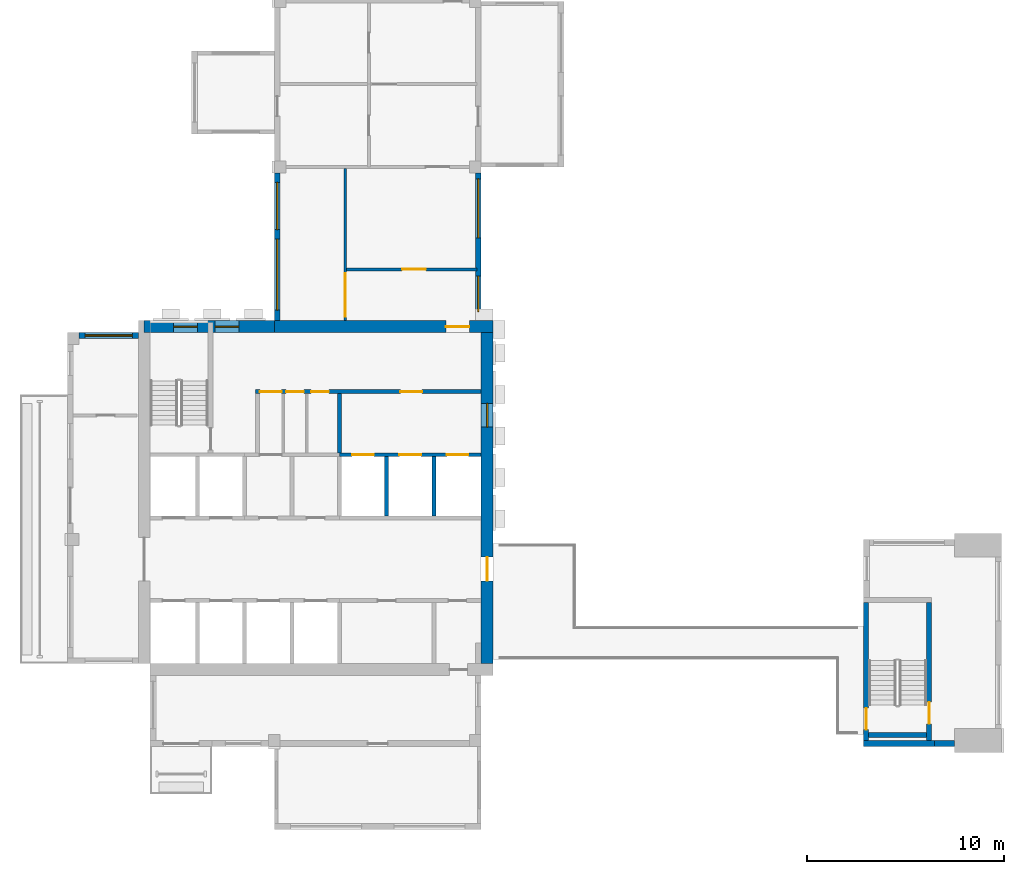
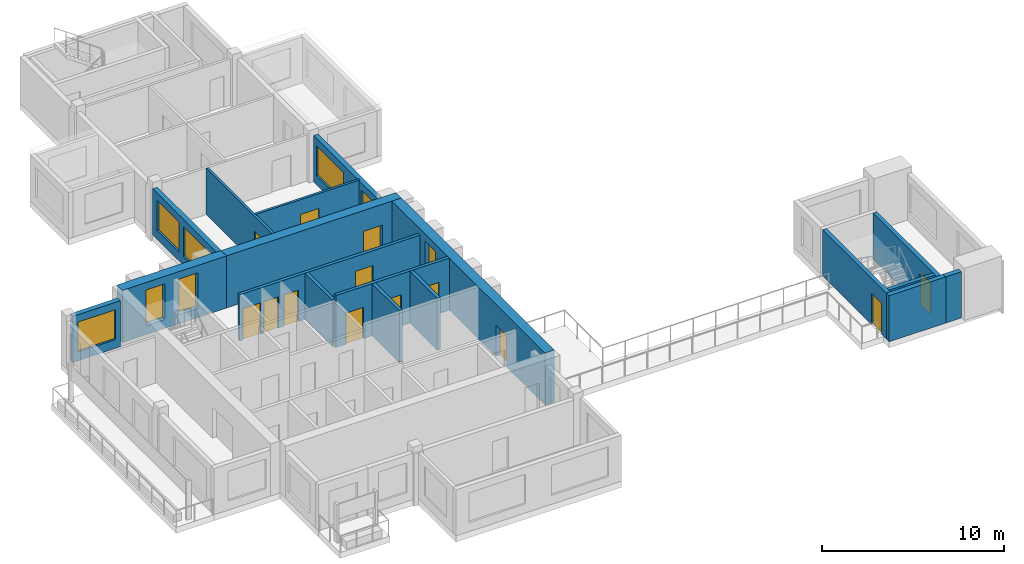
# One storey, part 3 of 9: 18 walls, 13 doors, 8 windows, 21 openings.
"""IFC4 building model written with IfcOpenShell, lengths in metres."""

import ifcopenshell
import ifcopenshell.guid

model = None  # the IFC model being written
_history = None  # IfcOwnerHistory: only IFC2X3 demands one
_inside = {}  # id of a spatial element -> (the spatial element, [elements in it])
_under = {}  # id of a project, library or spatial element -> (it, [spatial elements below it])
_declared = {}  # id of a project -> (the project, [libraries it declares])
_typed = {}  # id of a type object -> (the type object, [elements of that type])
_made_of = {}  # id of a material, layer set ... -> (it, [elements and type objects made of it])


def new_model(schema):
    """Start an empty IFC model of exactly this schema.

    Asked for "IFC4X3", IfcOpenShell would pick the latest addendum, in which some entities
    have other attributes; the version numbers below select the first issue.
    IFC2X3 requires an IfcOwnerHistory on every rooted entity: one is made here for all.
    """
    global model, _history
    if schema == "IFC4X3":
        model = ifcopenshell.file(schema_version=(4, 3, 0, 0))
    else:
        model = ifcopenshell.file(schema=schema)
    _inside.clear()
    _under.clear()
    _declared.clear()
    _typed.clear()
    _made_of.clear()
    _history = None
    if model.schema == "IFC2X3":
        org = make("IfcOrganization", Name="unknown")
        user = make(
            "IfcPersonAndOrganization",
            ThePerson=make("IfcPerson", FamilyName="unknown"),
            TheOrganization=org,
        )
        app = make(
            "IfcApplication",
            ApplicationDeveloper=org,
            Version="unknown",
            ApplicationFullName="unknown",
            ApplicationIdentifier="unknown",
        )
        _history = make(
            "IfcOwnerHistory",
            OwningUser=user,
            OwningApplication=app,
            ChangeAction="ADDED",
            CreationDate=0,
        )
    return model


def make(cls, **values):
    """One entity of the class cls with the attributes given. An attribute that is None is left unset."""
    return model.create_entity(
        cls, **{name: value for name, value in values.items() if value is not None}
    )


def rooted(cls, **values):
    """An entity with a GlobalId (a new one), such as an element, a storey or a relation."""
    return make(cls, GlobalId=ifcopenshell.guid.new(), OwnerHistory=_history, **values)


def si_unit(unit_type, name, prefix=None):
    """IfcSIUnit, for example si_unit("LENGTHUNIT", "METRE", prefix="MILLI")."""
    return make("IfcSIUnit", UnitType=unit_type, Prefix=prefix, Name=name)


def assignment(units):
    """IfcUnitAssignment: the units of a project."""
    return None if units is None else make("IfcUnitAssignment", Units=units)


def point(xyz):
    """IfcCartesianPoint."""
    return None if xyz is None else make("IfcCartesianPoint", Coordinates=xyz)


def direction(xyz):
    """IfcDirection."""
    return None if xyz is None else make("IfcDirection", DirectionRatios=xyz)


def frame(location, z_axis=None, x_axis=None):
    """IfcAxis2Placement3D, a coordinate frame: its origin and axes. An axis left out is left unset."""
    return make(
        "IfcAxis2Placement3D",
        Location=point(location),
        Axis=direction(z_axis),
        RefDirection=direction(x_axis),
    )


def frame_2d(location, x_axis=None):
    """IfcAxis2Placement2D, a coordinate frame in the plane: its origin and x axis."""
    return make(
        "IfcAxis2Placement2D", Location=point(location), RefDirection=direction(x_axis)
    )


def origin():
    """The frame at (0, 0, 0) with its axes left unset."""
    return frame((0.0, 0.0, 0.0))


def place(relative_to, where):
    """IfcLocalPlacement: puts the frame where relative to a parent placement (None: the world)."""
    return make(
        "IfcLocalPlacement", PlacementRelTo=relative_to, RelativePlacement=where
    )


def context(
    kind, dimensions, precision=None, world=None, true_north=None, identifier=None
):
    """IfcGeometricRepresentationContext, for example the 3D "Model" context."""
    return make(
        "IfcGeometricRepresentationContext",
        ContextIdentifier=identifier,
        ContextType=kind,
        CoordinateSpaceDimension=dimensions,
        Precision=precision,
        WorldCoordinateSystem=world,
        TrueNorth=true_north,
    )


def subcontext(parent, identifier, kind, view, scale=None):
    """IfcGeometricRepresentationSubContext, for example "Body" below "Model"."""
    return make(
        "IfcGeometricRepresentationSubContext",
        ContextIdentifier=identifier,
        ContextType=kind,
        ParentContext=parent,
        TargetScale=scale,
        TargetView=view,
    )


def project(units=None, contexts=None):
    """IfcProject with its units and contexts."""
    return rooted(
        "IfcProject",
        Name="project",
        RepresentationContexts=contexts,
        UnitsInContext=assignment(units),
    )


def spatial(cls, under=None, at=None, **own):
    """A site, building, storey or space (cls), placed at a placement, below another one or the project."""
    s = rooted(cls, ObjectPlacement=at, **own)
    if under is not None:
        _under.setdefault(under.id(), (under, []))[1].append(s)
    return s


def profile(cls, at=None, kind="AREA", **sizes):
    """A parametric profile (cls). Its sizes go by their IFC names, for example OverallWidth=200.0."""
    return make(cls, ProfileType=kind, Position=at, **sizes)


def rectangle(**sizes):
    """IfcRectangleProfileDef."""
    return profile("IfcRectangleProfileDef", **sizes)


def extrude(swept, where, along, depth):
    """IfcExtrudedAreaSolid: the profile swept, set in the frame where, extruded along a direction by depth."""
    return make(
        "IfcExtrudedAreaSolid",
        SweptArea=swept,
        Position=where,
        ExtrudedDirection=direction(along),
        Depth=depth,
    )


def shape(context_of_items, identifier, shape_type, items):
    """IfcShapeRepresentation: the items that make up one representation, for example the "Body"."""
    return make(
        "IfcShapeRepresentation",
        ContextOfItems=context_of_items,
        RepresentationIdentifier=identifier,
        RepresentationType=shape_type,
        Items=items,
    )


def source(mapping_origin, context_of_items, identifier, shape_type, items):
    """IfcRepresentationMap: a shape defined once, which mapped items show again and again."""
    return make(
        "IfcRepresentationMap",
        MappingOrigin=mapping_origin,
        MappedRepresentation=shape(context_of_items, identifier, shape_type, items),
    )


def transform(
    local_origin,
    x_axis=None,
    y_axis=None,
    z_axis=None,
    scale=None,
    scale2=None,
    scale3=None,
    uniform=True,
):
    """IfcCartesianTransformationOperator3D, or its non-uniform kind. x_axis, y_axis, z_axis: its Axis1, 2, 3."""
    if uniform:
        return make(
            "IfcCartesianTransformationOperator3D",
            Axis1=direction(x_axis),
            Axis2=direction(y_axis),
            LocalOrigin=point(local_origin),
            Scale=scale,
            Axis3=direction(z_axis),
        )
    return make(
        "IfcCartesianTransformationOperator3DnonUniform",
        Axis1=direction(x_axis),
        Axis2=direction(y_axis),
        LocalOrigin=point(local_origin),
        Scale=scale,
        Axis3=direction(z_axis),
        Scale2=scale2,
        Scale3=scale3,
    )


def mapped(mapping_source, mapping_target):
    """IfcMappedItem: shows the shape of a source again, moved by a transform."""
    return make(
        "IfcMappedItem", MappingSource=mapping_source, MappingTarget=mapping_target
    )


def material(Name=None, Category=None):
    """IfcMaterial."""
    return make("IfcMaterial", Name=Name, Category=Category)


def layer(
    of_material, thickness, ventilated=None, Name=None, Category=None, Priority=None
):
    """IfcMaterialLayer: one layer of a wall or slab, of a material (None: an air gap)."""
    return make(
        "IfcMaterialLayer",
        Material=of_material,
        LayerThickness=thickness,
        IsVentilated=ventilated,
        Name=Name,
        Category=Category,
        Priority=Priority,
    )


def layer_set(layers, Name=None):
    """IfcMaterialLayerSet."""
    return make("IfcMaterialLayerSet", MaterialLayers=layers, LayerSetName=Name)


def made_of(thing, what):
    """Note that an element or type object is made of a material, layer set ...; save() writes the relation."""
    if what is not None:
        _made_of.setdefault(what.id(), (what, []))[1].append(thing)
    return thing


def type_object(cls, material=None, **own):
    """A type object (cls), such as IfcWallType, which elements share."""
    return made_of(rooted(cls, **own), material)


def element(
    cls,
    number,
    at=None,
    inside=None,
    cuts=None,
    type_object=None,
    material=None,
    context=None,
    identifier="Body",
    shape_type=None,
    held_by="IfcProductDefinitionShape",
    body=None,
    shapes=None,
    **own,
):
    """One element of the class cls, such as IfcWall. Its Tag is "e" and its number.

    at: its placement. inside: the storey or other place that contains it. cuts: it is an
    opening in that element (IfcRelVoidsElement). A single representation is given by context,
    identifier, shape_type and body (its items); several are given by shapes. held_by: the class
    of the entity that holds the representations. save() writes the other relations.
    """
    e = rooted(cls, Tag="e%d" % number, ObjectPlacement=at, **own)
    if body is not None:
        shapes = [shape(context, identifier, shape_type, body)]
    if shapes is not None:
        e.Representation = make(held_by, Representations=shapes)
    if inside is not None:
        _inside.setdefault(inside.id(), (inside, []))[1].append(e)
    if cuts is not None:
        rooted(
            "IfcRelVoidsElement", RelatingBuildingElement=cuts, RelatedOpeningElement=e
        )
    if type_object is not None:
        _typed.setdefault(type_object.id(), (type_object, []))[1].append(e)
    return made_of(e, material)


def fill(opening, filler):
    """IfcRelFillsElement: the door or window that sits in an opening."""
    return rooted(
        "IfcRelFillsElement",
        RelatingOpeningElement=opening,
        RelatedBuildingElement=filler,
    )


def aggregate(whole, parts):
    """IfcRelAggregates: a whole, such as a stair, and the parts it consists of."""
    return rooted("IfcRelAggregates", RelatingObject=whole, RelatedObjects=parts)


def save(model, path):
    """Write the relations noted so far, then the file.

    IfcRelAggregates (storeys below a building ...), IfcRelContainedInSpatialStructure (elements
    in a storey), IfcRelDefinesByType, IfcRelAssociatesMaterial and IfcRelDeclares: one each for
    every whole, place, type object, material and project.
    """
    for whole, parts in _under.values():
        aggregate(whole, parts)
    for where, things in _inside.values():
        rooted(
            "IfcRelContainedInSpatialStructure",
            RelatedElements=things,
            RelatingStructure=where,
        )
    for kind, things in _typed.values():
        rooted("IfcRelDefinesByType", RelatedObjects=things, RelatingType=kind)
    for what, things in _made_of.values():
        rooted("IfcRelAssociatesMaterial", RelatedObjects=things, RelatingMaterial=what)
    for by, libraries in _declared.values():
        rooted("IfcRelDeclares", RelatingContext=by, RelatedDefinitions=libraries)
    model.write(path)


model = new_model("IFC4")

# Units and contexts
model_context = context("Model", 3, precision=1e-05, world=origin(), true_north=direction((0.0, 1.0)))
body_context = subcontext(model_context, "Body", "Model", "MODEL_VIEW")
ifc_project = project(units=[si_unit("LENGTHUNIT", "METRE"), si_unit("AREAUNIT", "SQUARE_METRE"), si_unit("VOLUMEUNIT", "CUBIC_METRE"), si_unit("PLANEANGLEUNIT", "RADIAN"), si_unit("MASSUNIT", "GRAM", prefix="KILO")], contexts=[model_context])

# Site, building, storey
site_placement = place(None, origin())
site = spatial("IfcSite", under=ifc_project, at=site_placement, CompositionType="ELEMENT")
building_placement = place(site_placement, origin())
building = spatial("IfcBuilding", under=site, at=building_placement, Name="Aurelian Terraces", CompositionType="ELEMENT")
storey_placement = place(building_placement, frame((0.0, 0.0, 333.5)))
storey = spatial("IfcBuildingStorey", under=building, at=storey_placement, Name="L78", CompositionType="ELEMENT", Elevation=333.5)

# Wall, openings, door, window
ifc_material_1 = material(Name="Concrete fc' 55 MPa", Category="concrete")
ifc_layer_1 = layer(ifc_material_1, 0.6)
ifc_layer_set_1 = layer_set([ifc_layer_1], Name="CORE WALL 600 FC55")
wall_type_1 = type_object("IfcWallType", Name="CORE WALL 600 FC55", PredefinedType="SHEAR", material=ifc_layer_set_1)
wall_1_placement = place(storey_placement, frame((21.3, 4.2, 0.0), z_axis=(0.0, 0.0, 1.0), x_axis=(0.0, 1.0, 0.0)))
wall_1 = element("IfcWall", 1, at=wall_1_placement, inside=storey, type_object=wall_type_1, Name="Core wall E L78 exposed", PredefinedType="SHEAR", context=body_context, shape_type="SweptSolid", body=[
    extrude(rectangle(XDim=16.8, YDim=0.6, at=frame_2d((8.4, 0.0))), origin(), (0.0, 0.0, 1.0), 3.5),
])
shared_shape_1 = source(origin(), body_context, "Body", "SweptSolid", [
    extrude(rectangle(XDim=1.2, YDim=2.1, at=frame_2d((0.6, 1.05))), frame((0.0, 0.31, 0.0), z_axis=(0.0, -1.0, 0.0), x_axis=(1.0, 0.0, 0.0)), (0.0, 0.0, 1.0), 0.62),
])
opening_1_placement = place(wall_1_placement, frame((4.2, 0.0, 0.0)))
opening_1 = element("IfcOpeningElement", 2, at=opening_1_placement, cuts=wall_1, Name="Opening 68126", PredefinedType="OPENING", context=body_context, shape_type="MappedRepresentation", body=[
    mapped(shared_shape_1, transform((0.0, 0.0, 0.0), scale=1.0)),
])
shared_shape_2 = source(origin(), body_context, "Body", "SweptSolid", [
    extrude(rectangle(XDim=1.2, YDim=2.4, at=frame_2d((0.6, 1.2))), frame((0.0, 0.31, 0.0), z_axis=(0.0, -1.0, 0.0), x_axis=(1.0, 0.0, 0.0)), (0.0, 0.0, 1.0), 0.62),
])
opening_2_placement = place(wall_1_placement, frame((12.0, 0.0, 0.6)))
opening_2 = element("IfcOpeningElement", 3, at=opening_2_placement, cuts=wall_1, Name="Opening W-CL", PredefinedType="OPENING", context=body_context, shape_type="MappedRepresentation", body=[
    mapped(shared_shape_2, transform((0.0, 0.0, 0.0), scale=1.0)),
])
ifc_material_2 = material(Name="Steel door leaf", Category="steel")
door_type_1 = type_object("IfcDoorType", Name="Core fire door 1200x2100 right", OperationType="SINGLE_SWING_RIGHT", PredefinedType="DOOR", material=ifc_material_2)
shared_shape_3 = source(origin(), body_context, "Body", "SweptSolid", [
    extrude(rectangle(XDim=1.2, YDim=2.1, at=frame_2d((0.6, 1.05))), frame((0.0, 0.025, 0.0), z_axis=(0.0, -1.0, 0.0), x_axis=(1.0, 0.0, 0.0)), (0.0, 0.0, 1.0), 0.05),
])
door_1_placement = place(opening_1_placement, origin())
door_1 = element("IfcDoor", 4, at=door_1_placement, inside=storey, type_object=door_type_1, Name="Core door 68126", OperationType="SINGLE_SWING_RIGHT", OverallHeight=2.1, OverallWidth=1.2, PredefinedType="DOOR", context=body_context, shape_type="MappedRepresentation", body=[
    mapped(shared_shape_3, transform((0.0, 0.0, 0.0), scale=1.0)),
])
fill(opening_1, door_1)
ifc_material_3 = material(Name="Fire-resisting glazing", Category="glass")
window_type_1 = type_object("IfcWindowType", Name="Core lobby window 1200x2400", PartitioningType="SINGLE_PANEL", PredefinedType="WINDOW", material=ifc_material_3)
shared_shape_4 = source(origin(), body_context, "Body", "SweptSolid", [
    extrude(rectangle(XDim=1.2, YDim=2.4, at=frame_2d((0.6, 1.2))), frame((0.0, 0.03, 0.0), z_axis=(0.0, -1.0, 0.0), x_axis=(1.0, 0.0, 0.0)), (0.0, 0.0, 1.0), 0.06),
])
window_1_placement = place(opening_2_placement, origin())
window_1 = element("IfcWindow", 5, at=window_1_placement, inside=storey, type_object=window_type_1, Name="Lobby window L78 E43", OverallHeight=2.4, OverallWidth=1.2, PartitioningType="SINGLE_PANEL", PredefinedType="WINDOW", context=body_context, shape_type="MappedRepresentation", body=[
    mapped(shared_shape_4, transform((0.0, 0.0, 0.0), scale=1.0)),
])
fill(opening_2, window_1)

# Walls
ifc_material_4 = material(Name="Terracotta rainscreen cladding", Category="masonry")
ifc_layer_2 = layer(ifc_material_4, 0.3)
ifc_layer_set_2 = layer_set([ifc_layer_2], Name="EW-300")
wall_type_2 = type_object("IfcWallType", Name="EW-300", PredefinedType="STANDARD", material=ifc_layer_set_2)
wall_2_placement = place(storey_placement, frame((44.0, 0.15, 0.0), z_axis=(0.0, 0.0, 1.0), x_axis=(1.0, 0.0, 0.0)))
element("IfcWall", 6, at=wall_2_placement, inside=storey, type_object=wall_type_2, Name="External wall L78 F13.21", PredefinedType="STANDARD", context=body_context, shape_type="SweptSolid", body=[
    extrude(rectangle(XDim=1.0, YDim=0.3, at=frame_2d((0.5, 0.0))), origin(), (0.0, 0.0, 1.0), 3.1),
])
ifc_material_5 = material(Name="Concrete fc' 40 MPa", Category="concrete")
ifc_layer_3 = layer(ifc_material_5, 0.3)
ifc_layer_set_3 = layer_set([ifc_layer_3], Name="STAIR BAY WALL 300")
wall_type_3 = type_object("IfcWallType", Name="STAIR BAY WALL 300", PredefinedType="SOLIDWALL", material=ifc_layer_set_3)
wall_3_placement = place(storey_placement, frame((40.4, 0.15, 0.0), z_axis=(0.0, 0.0, 1.0), x_axis=(1.0, 0.0, 0.0)))
element("IfcWall", 7, at=wall_3_placement, inside=storey, type_object=wall_type_3, Name="Stair bay wall L78 F13.21", PredefinedType="SOLIDWALL", context=body_context, shape_type="SweptSolid", body=[
    extrude(rectangle(XDim=3.6, YDim=0.3, at=frame_2d((1.8, 0.0))), origin(), (0.0, 0.0, 1.0), 3.1),
])

# Wall, opening, door
shared_shape_5 = source(origin(), body_context, "Body", "SweptSolid", [
    extrude(rectangle(XDim=11.1, YDim=0.6, at=frame_2d((5.55, 0.0))), origin(), (0.0, 0.0, 1.0), 3.5),
])
wall_4_placement = place(storey_placement, frame((10.5, 21.3, 0.0), z_axis=(0.0, 0.0, 1.0), x_axis=(1.0, 0.0, 0.0)))
wall_4 = element("IfcWall", 8, at=wall_4_placement, inside=storey, type_object=wall_type_1, Name="Core wall N L78", PredefinedType="SHEAR", context=body_context, shape_type="MappedRepresentation", body=[
    mapped(shared_shape_5, transform((0.0, 0.0, 0.0), scale=1.0)),
])
opening_3_placement = place(wall_4_placement, frame((8.7, 0.0, 0.0)))
opening_3 = element("IfcOpeningElement", 9, at=opening_3_placement, cuts=wall_4, Name="Opening 68125", PredefinedType="OPENING", context=body_context, shape_type="MappedRepresentation", body=[
    mapped(shared_shape_1, transform((0.0, 0.0, 0.0), scale=1.0)),
])
door_type_2 = type_object("IfcDoorType", Name="Core fire door 1200x2100", OperationType="SINGLE_SWING_LEFT", PredefinedType="DOOR", material=ifc_material_2)
door_2_placement = place(opening_3_placement, origin())
door_2 = element("IfcDoor", 10, at=door_2_placement, inside=storey, type_object=door_type_2, Name="Core door 68125", OperationType="SINGLE_SWING_LEFT", OverallHeight=2.1, OverallWidth=1.2, PredefinedType="DOOR", context=body_context, shape_type="MappedRepresentation", body=[
    mapped(shared_shape_3, transform((0.0, 0.0, 0.0), scale=1.0)),
])
fill(opening_3, door_2)

# Wall, openings, windows
shared_shape_6 = source(origin(), body_context, "Body", "SweptSolid", [
    extrude(rectangle(XDim=6.6, YDim=0.6, at=frame_2d((3.3, 0.0))), origin(), (0.0, 0.0, 1.0), 3.5),
])
wall_5_placement = place(storey_placement, frame((3.9, 21.3, 0.0), z_axis=(0.0, 0.0, 1.0), x_axis=(1.0, 0.0, 0.0)))
wall_5 = element("IfcWall", 11, at=wall_5_placement, inside=storey, type_object=wall_type_1, Name="Core wall N L78 exposed", PredefinedType="SHEAR", context=body_context, shape_type="MappedRepresentation", body=[
    mapped(shared_shape_6, transform((0.0, 0.0, 0.0), scale=1.0)),
])
opening_4_placement = place(wall_5_placement, frame((1.5, 0.0, 0.6)))
opening_4 = element("IfcOpeningElement", 12, at=opening_4_placement, cuts=wall_5, Name="Opening W-CL", PredefinedType="OPENING", context=body_context, shape_type="MappedRepresentation", body=[
    mapped(shared_shape_2, transform((0.0, 0.0, 0.0), scale=1.0)),
])
opening_5_placement = place(wall_5_placement, frame((3.6, 0.0, 0.6)))
opening_5 = element("IfcOpeningElement", 13, at=opening_5_placement, cuts=wall_5, Name="Opening W-CL", PredefinedType="OPENING", context=body_context, shape_type="MappedRepresentation", body=[
    mapped(shared_shape_2, transform((0.0, 0.0, 0.0), scale=1.0)),
])
window_2_placement = place(opening_4_placement, origin())
window_2 = element("IfcWindow", 14, at=window_2_placement, inside=storey, type_object=window_type_1, Name="Lobby window L78 N44", OverallHeight=2.4, OverallWidth=1.2, PartitioningType="SINGLE_PANEL", PredefinedType="WINDOW", context=body_context, shape_type="MappedRepresentation", body=[
    mapped(shared_shape_4, transform((0.0, 0.0, 0.0), scale=1.0)),
])
fill(opening_4, window_2)
window_3_placement = place(opening_5_placement, origin())
window_3 = element("IfcWindow", 15, at=window_3_placement, inside=storey, type_object=window_type_1, Name="Lobby window L78 N45", OverallHeight=2.4, OverallWidth=1.2, PartitioningType="SINGLE_PANEL", PredefinedType="WINDOW", context=body_context, shape_type="MappedRepresentation", body=[
    mapped(shared_shape_4, transform((0.0, 0.0, 0.0), scale=1.0)),
])
fill(opening_5, window_3)

shared_shape_7 = source(origin(), body_context, "Body", "SweptSolid", [
    extrude(rectangle(XDim=7.5, YDim=0.3, at=frame_2d((3.75, 0.0))), origin(), (0.0, 0.0, 1.0), 3.1),
])
wall_6_placement = place(storey_placement, frame((20.85, 21.6, 0.0), z_axis=(0.0, 0.0, 1.0), x_axis=(0.0, 1.0, 0.0)))
wall_6 = element("IfcWall", 16, at=wall_6_placement, inside=storey, type_object=wall_type_2, Name="External wall L78 F02.7", PredefinedType="STANDARD", context=body_context, shape_type="MappedRepresentation", body=[
    mapped(shared_shape_7, transform((0.0, 0.0, 0.0), scale=1.0)),
])
shared_shape_8 = source(origin(), body_context, "Body", "SweptSolid", [
    extrude(rectangle(XDim=1.8, YDim=2.0, at=frame_2d((0.9, 1.0))), frame((0.0, 0.16, 0.0), z_axis=(0.0, -1.0, 0.0), x_axis=(1.0, 0.0, 0.0)), (0.0, 0.0, 1.0), 0.32),
])
opening_6_placement = place(wall_6_placement, frame((0.4625, 0.0, 0.6)))
opening_6 = element("IfcOpeningElement", 17, at=opening_6_placement, cuts=wall_6, Name="Opening W1820", PredefinedType="OPENING", context=body_context, shape_type="MappedRepresentation", body=[
    mapped(shared_shape_8, transform((0.0, 0.0, 0.0), scale=1.0)),
])
shared_shape_9 = source(origin(), body_context, "Body", "SweptSolid", [
    extrude(rectangle(XDim=3.0, YDim=2.0, at=frame_2d((1.5, 1.0))), frame((0.0, 0.16, 0.0), z_axis=(0.0, -1.0, 0.0), x_axis=(1.0, 0.0, 0.0)), (0.0, 0.0, 1.0), 0.32),
])
opening_7_placement = place(wall_6_placement, frame((4.2, 0.0, 0.6)))
opening_7 = element("IfcOpeningElement", 18, at=opening_7_placement, cuts=wall_6, Name="Opening W3020", PredefinedType="OPENING", context=body_context, shape_type="MappedRepresentation", body=[
    mapped(shared_shape_9, transform((0.0, 0.0, 0.0), scale=1.0)),
])
ifc_material_6 = material(Name="Clear glazing", Category="glass")
window_type_2 = type_object("IfcWindowType", Name="W-3000x2000", PartitioningType="SINGLE_PANEL", PredefinedType="WINDOW", material=ifc_material_6)
shared_shape_10 = source(origin(), body_context, "Body", "SweptSolid", [
    extrude(rectangle(XDim=3.0, YDim=2.0, at=frame_2d((1.5, 1.0))), frame((0.0, 0.03, 0.0), z_axis=(0.0, -1.0, 0.0), x_axis=(1.0, 0.0, 0.0)), (0.0, 0.0, 1.0), 0.06),
])
window_4_placement = place(opening_7_placement, origin())
window_4 = element("IfcWindow", 19, at=window_4_placement, inside=storey, type_object=window_type_2, Name="Window L78 L78-F02-07-1", OverallHeight=2.0, OverallWidth=3.0, PartitioningType="SINGLE_PANEL", PredefinedType="WINDOW", context=body_context, shape_type="MappedRepresentation", body=[
    mapped(shared_shape_10, transform((0.0, 0.0, 0.0), scale=1.0)),
])
fill(opening_7, window_4)
window_type_3 = type_object("IfcWindowType", Name="W-1800x2000", PartitioningType="SINGLE_PANEL", PredefinedType="WINDOW", material=ifc_material_6)
shared_shape_11 = source(origin(), body_context, "Body", "SweptSolid", [
    extrude(rectangle(XDim=1.8, YDim=2.0, at=frame_2d((0.9, 1.0))), frame((0.0, 0.03, 0.0), z_axis=(0.0, -1.0, 0.0), x_axis=(1.0, 0.0, 0.0)), (0.0, 0.0, 1.0), 0.06),
])
window_5_placement = place(opening_6_placement, origin())
window_5 = element("IfcWindow", 20, at=window_5_placement, inside=storey, type_object=window_type_3, Name="Window L78 L78-F02-07-0", OverallHeight=2.0, OverallWidth=1.8, PartitioningType="SINGLE_PANEL", PredefinedType="WINDOW", context=body_context, shape_type="MappedRepresentation", body=[
    mapped(shared_shape_11, transform((0.0, 0.0, 0.0), scale=1.0)),
])
fill(opening_6, window_5)

wall_7_placement = place(storey_placement, frame((10.65, 29.1, 0.0), z_axis=(0.0, 0.0, 1.0), x_axis=(0.0, -1.0, 0.0)))
wall_7 = element("IfcWall", 21, at=wall_7_placement, inside=storey, type_object=wall_type_2, Name="External wall L78 F04.11", PredefinedType="STANDARD", context=body_context, shape_type="MappedRepresentation", body=[
    mapped(shared_shape_7, transform((0.0, 0.0, 0.0), scale=1.0)),
])
shared_shape_12 = source(origin(), body_context, "Body", "SweptSolid", [
    extrude(rectangle(XDim=3.6, YDim=2.0, at=frame_2d((1.8, 1.0))), frame((0.0, 0.16, 0.0), z_axis=(0.0, -1.0, 0.0), x_axis=(1.0, 0.0, 0.0)), (0.0, 0.0, 1.0), 0.32),
])
opening_8_placement = place(wall_7_placement, frame((3.36, 0.0, 0.6)))
opening_8 = element("IfcOpeningElement", 22, at=opening_8_placement, cuts=wall_7, Name="Opening W3620", PredefinedType="OPENING", context=body_context, shape_type="MappedRepresentation", body=[
    mapped(shared_shape_12, transform((0.0, 0.0, 0.0), scale=1.0)),
])
shared_shape_13 = source(origin(), body_context, "Body", "SweptSolid", [
    extrude(rectangle(XDim=2.4, YDim=2.0, at=frame_2d((1.2, 1.0))), frame((0.0, 0.16, 0.0), z_axis=(0.0, -1.0, 0.0), x_axis=(1.0, 0.0, 0.0)), (0.0, 0.0, 1.0), 0.32),
])
opening_9_placement = place(wall_7_placement, frame((0.48, 0.0, 0.6)))
opening_9 = element("IfcOpeningElement", 23, at=opening_9_placement, cuts=wall_7, Name="Opening W2420", PredefinedType="OPENING", context=body_context, shape_type="MappedRepresentation", body=[
    mapped(shared_shape_13, transform((0.0, 0.0, 0.0), scale=1.0)),
])
window_type_4 = type_object("IfcWindowType", Name="W-2400x2000", PartitioningType="SINGLE_PANEL", PredefinedType="WINDOW", material=ifc_material_6)
shared_shape_14 = source(origin(), body_context, "Body", "SweptSolid", [
    extrude(rectangle(XDim=2.4, YDim=2.0, at=frame_2d((1.2, 1.0))), frame((0.0, 0.03, 0.0), z_axis=(0.0, -1.0, 0.0), x_axis=(1.0, 0.0, 0.0)), (0.0, 0.0, 1.0), 0.06),
])
window_6_placement = place(opening_9_placement, origin())
window_6 = element("IfcWindow", 24, at=window_6_placement, inside=storey, type_object=window_type_4, Name="Window L78 L78-F04-11-G2-146", OverallHeight=2.0, OverallWidth=2.4, PartitioningType="SINGLE_PANEL", PredefinedType="WINDOW", context=body_context, shape_type="MappedRepresentation", body=[
    mapped(shared_shape_14, transform((0.0, 0.0, 0.0), scale=1.0)),
])
fill(opening_9, window_6)
window_type_5 = type_object("IfcWindowType", Name="W-3600x2000", PartitioningType="SINGLE_PANEL", PredefinedType="WINDOW", material=ifc_material_6)
shared_shape_15 = source(origin(), body_context, "Body", "SweptSolid", [
    extrude(rectangle(XDim=3.6, YDim=2.0, at=frame_2d((1.8, 1.0))), frame((0.0, 0.03, 0.0), z_axis=(0.0, -1.0, 0.0), x_axis=(1.0, 0.0, 0.0)), (0.0, 0.0, 1.0), 0.06),
])
window_7_placement = place(opening_8_placement, origin())
window_7 = element("IfcWindow", 25, at=window_7_placement, inside=storey, type_object=window_type_5, Name="Window L78 L78-F04-11-4", OverallHeight=2.0, OverallWidth=3.6, PartitioningType="SINGLE_PANEL", PredefinedType="WINDOW", context=body_context, shape_type="MappedRepresentation", body=[
    mapped(shared_shape_15, transform((0.0, 0.0, 0.0), scale=1.0)),
])
fill(opening_8, window_7)

# Wall, opening, window
shared_shape_16 = source(origin(), body_context, "Body", "SweptSolid", [
    extrude(rectangle(XDim=3.0, YDim=0.3, at=frame_2d((1.5, 0.0))), origin(), (0.0, 0.0, 1.0), 3.1),
])
wall_8_placement = place(storey_placement, frame((3.6, 20.85, 0.0), z_axis=(0.0, 0.0, 1.0), x_axis=(-1.0, 0.0, 0.0)))
wall_8 = element("IfcWall", 26, at=wall_8_placement, inside=storey, type_object=wall_type_2, Name="External wall L78 F09.16", PredefinedType="STANDARD", context=body_context, shape_type="MappedRepresentation", body=[
    mapped(shared_shape_16, transform((0.0, 0.0, 0.0), scale=1.0)),
])
opening_10_placement = place(wall_8_placement, frame((0.3, 0.0, 0.6)))
opening_10 = element("IfcOpeningElement", 27, at=opening_10_placement, cuts=wall_8, Name="Opening W2420", PredefinedType="OPENING", context=body_context, shape_type="MappedRepresentation", body=[
    mapped(shared_shape_13, transform((0.0, 0.0, 0.0), scale=1.0)),
])
window_8_placement = place(opening_10_placement, origin())
window_8 = element("IfcWindow", 28, at=window_8_placement, inside=storey, type_object=window_type_4, Name="Window L78 L78-F09-16-0", OverallHeight=2.0, OverallWidth=2.4, PartitioningType="SINGLE_PANEL", PredefinedType="WINDOW", context=body_context, shape_type="MappedRepresentation", body=[
    mapped(shared_shape_14, transform((0.0, 0.0, 0.0), scale=1.0)),
])
fill(opening_10, window_8)

# Walls
ifc_layer_4 = layer(ifc_material_5, 0.2)
ifc_layer_set_4 = layer_set([ifc_layer_4], Name="Lift shaft wall 200")
wall_type_4 = type_object("IfcWallType", Name="Lift shaft wall 200", PredefinedType="SOLIDWALL", material=ifc_layer_set_4)
shared_shape_17 = source(origin(), body_context, "Body", "SweptSolid", [
    extrude(rectangle(XDim=3.0, YDim=0.2, at=frame_2d((1.5, 0.0))), origin(), (0.0, 0.0, 1.0), 3.5),
])
for number, where, z_axis, x_axis, name in (
    (29, (16.2, 11.7, 0.0), (0.0, 0.0, 1.0), (0.0, 1.0, 0.0), "L78 core wall CD-B5"),
    (30, (18.6, 11.7, 0.0), (0.0, 0.0, 1.0), (0.0, 1.0, 0.0), "L78 core wall CD-B6"),
):
    element("IfcWall", number, at=place(storey_placement, frame(where, z_axis=z_axis, x_axis=x_axis)), inside=storey, type_object=wall_type_4, Name=name, PredefinedType="SOLIDWALL", context=body_context, shape_type="MappedRepresentation", body=[
        mapped(shared_shape_17, transform((0.0, 0.0, 0.0), scale=1.0)),
    ])

# Wall, openings, doors
shared_shape_18 = source(origin(), body_context, "Body", "SweptSolid", [
    extrude(rectangle(XDim=7.2, YDim=0.2, at=frame_2d((3.6, 0.0))), origin(), (0.0, 0.0, 1.0), 3.5),
])
wall_9_placement = place(storey_placement, frame((13.8, 14.8, 0.0), z_axis=(0.0, 0.0, 1.0), x_axis=(1.0, 0.0, 0.0)))
wall_9 = element("IfcWall", 31, at=wall_9_placement, inside=storey, type_object=wall_type_4, Name="L78 core wall CF-BB3", PredefinedType="SOLIDWALL", context=body_context, shape_type="MappedRepresentation", body=[
    mapped(shared_shape_18, transform((0.0, 0.0, 0.0), scale=1.0)),
])
shared_shape_19 = source(origin(), body_context, "Body", "SweptSolid", [
    extrude(rectangle(XDim=1.1, YDim=2.1, at=frame_2d((0.55, 1.05))), frame((0.0, 0.11, 0.0), z_axis=(0.0, -1.0, 0.0), x_axis=(1.0, 0.0, 0.0)), (0.0, 0.0, 1.0), 0.22),
])
opening_11_placement = place(wall_9_placement, frame((0.65, 0.0, 0.0)))
opening_11 = element("IfcOpeningElement", 32, at=opening_11_placement, cuts=wall_9, Name="Opening 68111", PredefinedType="OPENING", context=body_context, shape_type="MappedRepresentation", body=[
    mapped(shared_shape_19, transform((0.0, 0.0, 0.0), scale=1.0)),
])
opening_12_placement = place(wall_9_placement, frame((3.05, 0.0, 0.0)))
opening_12 = element("IfcOpeningElement", 33, at=opening_12_placement, cuts=wall_9, Name="Opening 68112", PredefinedType="OPENING", context=body_context, shape_type="MappedRepresentation", body=[
    mapped(shared_shape_19, transform((0.0, 0.0, 0.0), scale=1.0)),
])
opening_13_placement = place(wall_9_placement, frame((5.45, 0.0, 0.0)))
opening_13 = element("IfcOpeningElement", 34, at=opening_13_placement, cuts=wall_9, Name="Opening 68113", PredefinedType="OPENING", context=body_context, shape_type="MappedRepresentation", body=[
    mapped(shared_shape_19, transform((0.0, 0.0, 0.0), scale=1.0)),
])
ifc_material_7 = material(Name="Stainless steel", Category="steel")
door_type_3 = type_object("IfcDoorType", Name="Lift landing door 1100x2100", OperationType="SLIDING_TO_LEFT", PredefinedType="DOOR", material=ifc_material_7)
shared_shape_20 = source(origin(), body_context, "Body", "SweptSolid", [
    extrude(rectangle(XDim=1.1, YDim=2.1, at=frame_2d((0.55, 1.05))), frame((0.0, 0.025, 0.0), z_axis=(0.0, -1.0, 0.0), x_axis=(1.0, 0.0, 0.0)), (0.0, 0.0, 1.0), 0.05),
])
door_3_placement = place(opening_11_placement, origin())
door_3 = element("IfcDoor", 35, at=door_3_placement, inside=storey, type_object=door_type_3, Name="Lift landing door F1 L78", OperationType="SLIDING_TO_LEFT", OverallHeight=2.1, OverallWidth=1.1, PredefinedType="DOOR", context=body_context, shape_type="MappedRepresentation", body=[
    mapped(shared_shape_20, transform((0.0, 0.0, 0.0), scale=1.0)),
])
fill(opening_11, door_3)
door_4_placement = place(opening_12_placement, origin())
door_4 = element("IfcDoor", 36, at=door_4_placement, inside=storey, type_object=door_type_3, Name="Lift landing door F2 L78", OperationType="SLIDING_TO_LEFT", OverallHeight=2.1, OverallWidth=1.1, PredefinedType="DOOR", context=body_context, shape_type="MappedRepresentation", body=[
    mapped(shared_shape_20, transform((0.0, 0.0, 0.0), scale=1.0)),
])
fill(opening_12, door_4)
door_5_placement = place(opening_13_placement, origin())
door_5 = element("IfcDoor", 37, at=door_5_placement, inside=storey, type_object=door_type_3, Name="Lift landing door F3 L78", OperationType="SLIDING_TO_LEFT", OverallHeight=2.1, OverallWidth=1.1, PredefinedType="DOOR", context=body_context, shape_type="MappedRepresentation", body=[
    mapped(shared_shape_20, transform((0.0, 0.0, 0.0), scale=1.0)),
])
fill(opening_13, door_5)

# Wall
ifc_material_8 = material(Name="Gypsum board on steel studs", Category="steel")
ifc_layer_5 = layer(ifc_material_8, 0.2)
ifc_layer_set_5 = layer_set([ifc_layer_5], Name="Core partition 200")
wall_type_5 = type_object("IfcWallType", Name="Core partition 200", PredefinedType="PARTITIONING", material=ifc_layer_set_5)
shared_shape_21 = source(origin(), body_context, "Body", "SweptSolid", [
    extrude(rectangle(XDim=3.0, YDim=0.2, at=frame_2d((1.5, 0.0))), origin(), (0.0, 0.0, 1.0), 3.1),
])
wall_10_placement = place(storey_placement, frame((13.8, 14.9, 0.0), z_axis=(0.0, 0.0, 1.0), x_axis=(0.0, 1.0, 0.0)))
element("IfcWall", 38, at=wall_10_placement, inside=storey, type_object=wall_type_5, Name="L78 core wall CP-FFL", PredefinedType="PARTITIONING", context=body_context, shape_type="MappedRepresentation", body=[
    mapped(shared_shape_21, transform((0.0, 0.0, 0.0), scale=1.0)),
])

# Wall, opening, door
ifc_layer_6 = layer(ifc_material_5, 0.25)
ifc_layer_set_6 = layer_set([ifc_layer_6], Name="Stair enclosure wall 250")
wall_type_6 = type_object("IfcWallType", Name="Stair enclosure wall 250", PredefinedType="SOLIDWALL", material=ifc_layer_set_6)
shared_shape_22 = source(origin(), body_context, "Body", "SweptSolid", [
    extrude(rectangle(XDim=7.0, YDim=0.25, at=frame_2d((3.5, 0.0))), origin(), (0.0, 0.0, 1.0), 3.1),
])
wall_11_placement = place(storey_placement, frame((40.525, 0.3, 0.0), z_axis=(0.0, 0.0, 1.0), x_axis=(0.0, 1.0, 0.0)))
wall_11 = element("IfcWall", 39, at=wall_11_placement, inside=storey, type_object=wall_type_6, Name="L78 core wall ST-S2-W", PredefinedType="SOLIDWALL", context=body_context, shape_type="MappedRepresentation", body=[
    mapped(shared_shape_22, transform((0.0, 0.0, 0.0), scale=1.0)),
])
shared_shape_23 = source(origin(), body_context, "Body", "SweptSolid", [
    extrude(rectangle(XDim=1.1, YDim=2.1, at=frame_2d((0.55, 1.05))), frame((0.0, 0.135, 0.0), z_axis=(0.0, -1.0, 0.0), x_axis=(1.0, 0.0, 0.0)), (0.0, 0.0, 1.0), 0.27),
])
opening_14_placement = place(wall_11_placement, frame((0.55, 0.0, 0.0)))
opening_14 = element("IfcOpeningElement", 40, at=opening_14_placement, cuts=wall_11, Name="Opening 68119", PredefinedType="OPENING", context=body_context, shape_type="MappedRepresentation", body=[
    mapped(shared_shape_23, transform((0.0, 0.0, 0.0), scale=1.0)),
])
door_type_4 = type_object("IfcDoorType", Name="Core fire door 1100x2100", OperationType="SINGLE_SWING_LEFT", PredefinedType="DOOR", material=ifc_material_2)
door_6_placement = place(opening_14_placement, origin())
door_6 = element("IfcDoor", 41, at=door_6_placement, inside=storey, type_object=door_type_4, Name="Stair door 68119", OperationType="SINGLE_SWING_LEFT", OverallHeight=2.1, OverallWidth=1.1, PredefinedType="DOOR", context=body_context, shape_type="MappedRepresentation", body=[
    mapped(shared_shape_20, transform((0.0, 0.0, 0.0), scale=1.0)),
])
fill(opening_14, door_6)

wall_12_placement = place(storey_placement, frame((43.725, 0.3, 0.0), z_axis=(0.0, 0.0, 1.0), x_axis=(0.0, 1.0, 0.0)))
wall_12 = element("IfcWall", 42, at=wall_12_placement, inside=storey, type_object=wall_type_6, Name="L78 core wall ST-S2-E", PredefinedType="SOLIDWALL", context=body_context, shape_type="MappedRepresentation", body=[
    mapped(shared_shape_22, transform((0.0, 0.0, 0.0), scale=1.0)),
])
opening_15_placement = place(wall_12_placement, frame((0.85, 0.0, 0.0)))
opening_15 = element("IfcOpeningElement", 43, at=opening_15_placement, cuts=wall_12, Name="Opening 68120", PredefinedType="OPENING", context=body_context, shape_type="MappedRepresentation", body=[
    mapped(shared_shape_23, transform((0.0, 0.0, 0.0), scale=1.0)),
])
door_type_5 = type_object("IfcDoorType", Name="Core fire door 1100x2100 right", OperationType="SINGLE_SWING_RIGHT", PredefinedType="DOOR", material=ifc_material_2)
door_7_placement = place(opening_15_placement, origin())
door_7 = element("IfcDoor", 44, at=door_7_placement, inside=storey, type_object=door_type_5, Name="Room door 68120", OperationType="SINGLE_SWING_RIGHT", OverallHeight=2.1, OverallWidth=1.1, PredefinedType="DOOR", context=body_context, shape_type="MappedRepresentation", body=[
    mapped(shared_shape_20, transform((0.0, 0.0, 0.0), scale=1.0)),
])
fill(opening_15, door_7)

# Wall, openings, doors
shared_shape_24 = source(origin(), body_context, "Body", "SweptSolid", [
    extrude(rectangle(XDim=11.45, YDim=0.2, at=frame_2d((5.725, 0.0))), origin(), (0.0, 0.0, 1.0), 3.1),
])
wall_13_placement = place(storey_placement, frame((9.55, 18.0, 0.0), z_axis=(0.0, 0.0, 1.0), x_axis=(1.0, 0.0, 0.0)))
wall_13 = element("IfcWall", 45, at=wall_13_placement, inside=storey, type_object=wall_type_5, Name="L78 core wall CP-NORTH", PredefinedType="PARTITIONING", context=body_context, shape_type="MappedRepresentation", body=[
    mapped(shared_shape_24, transform((0.0, 0.0, 0.0), scale=1.0)),
])
opening_16_placement = place(wall_13_placement, frame((0.225, 0.0, 0.0)))
opening_16 = element("IfcOpeningElement", 46, at=opening_16_placement, cuts=wall_13, Name="Opening 68115", PredefinedType="OPENING", context=body_context, shape_type="MappedRepresentation", body=[
    mapped(shared_shape_19, transform((0.0, 0.0, 0.0), scale=1.0)),
])
shared_shape_25 = source(origin(), body_context, "Body", "SweptSolid", [
    extrude(rectangle(XDim=0.9, YDim=2.1, at=frame_2d((0.45, 1.05))), frame((0.0, 0.11, 0.0), z_axis=(0.0, -1.0, 0.0), x_axis=(1.0, 0.0, 0.0)), (0.0, 0.0, 1.0), 0.22),
])
opening_17_placement = place(wall_13_placement, frame((1.55, 0.0, 0.0)))
opening_17 = element("IfcOpeningElement", 47, at=opening_17_placement, cuts=wall_13, Name="Opening 68116", PredefinedType="OPENING", context=body_context, shape_type="MappedRepresentation", body=[
    mapped(shared_shape_25, transform((0.0, 0.0, 0.0), scale=1.0)),
])
opening_18_placement = place(wall_13_placement, frame((2.825, 0.0, 0.0)))
opening_18 = element("IfcOpeningElement", 48, at=opening_18_placement, cuts=wall_13, Name="Opening 68117", PredefinedType="OPENING", context=body_context, shape_type="MappedRepresentation", body=[
    mapped(shared_shape_25, transform((0.0, 0.0, 0.0), scale=1.0)),
])
opening_19_placement = place(wall_13_placement, frame((7.35, 0.0, 0.0)))
opening_19 = element("IfcOpeningElement", 49, at=opening_19_placement, cuts=wall_13, Name="Opening 68118", PredefinedType="OPENING", context=body_context, shape_type="MappedRepresentation", body=[
    mapped(shared_shape_19, transform((0.0, 0.0, 0.0), scale=1.0)),
])
door_type_6 = type_object("IfcDoorType", Name="Core riser door 900x2100 right", OperationType="SINGLE_SWING_RIGHT", PredefinedType="DOOR", material=ifc_material_2)
shared_shape_26 = source(origin(), body_context, "Body", "SweptSolid", [
    extrude(rectangle(XDim=0.9, YDim=2.1, at=frame_2d((0.45, 1.05))), frame((0.0, 0.025, 0.0), z_axis=(0.0, -1.0, 0.0), x_axis=(1.0, 0.0, 0.0)), (0.0, 0.0, 1.0), 0.05),
])
door_8_placement = place(opening_17_placement, origin())
door_8 = element("IfcDoor", 50, at=door_8_placement, inside=storey, type_object=door_type_6, Name="Room door 68116", OperationType="SINGLE_SWING_RIGHT", OverallHeight=2.1, OverallWidth=0.9, PredefinedType="DOOR", context=body_context, shape_type="MappedRepresentation", body=[
    mapped(shared_shape_26, transform((0.0, 0.0, 0.0), scale=1.0)),
])
fill(opening_17, door_8)
door_type_7 = type_object("IfcDoorType", Name="Core service door 900x2100", OperationType="SINGLE_SWING_LEFT", PredefinedType="DOOR", material=ifc_material_2)
door_9_placement = place(opening_18_placement, origin())
door_9 = element("IfcDoor", 51, at=door_9_placement, inside=storey, type_object=door_type_7, Name="Room door 68117", OperationType="SINGLE_SWING_LEFT", OverallHeight=2.1, OverallWidth=0.9, PredefinedType="DOOR", context=body_context, shape_type="MappedRepresentation", body=[
    mapped(shared_shape_26, transform((0.0, 0.0, 0.0), scale=1.0)),
])
fill(opening_18, door_9)
door_type_8 = type_object("IfcDoorType", Name="Core service door 1100x2100", OperationType="SINGLE_SWING_LEFT", PredefinedType="DOOR", material=ifc_material_2)
door_10_placement = place(opening_16_placement, origin())
door_10 = element("IfcDoor", 52, at=door_10_placement, inside=storey, type_object=door_type_8, Name="Room door 68115", OperationType="SINGLE_SWING_LEFT", OverallHeight=2.1, OverallWidth=1.1, PredefinedType="DOOR", context=body_context, shape_type="MappedRepresentation", body=[
    mapped(shared_shape_20, transform((0.0, 0.0, 0.0), scale=1.0)),
])
fill(opening_16, door_10)
door_11_placement = place(opening_19_placement, origin())
door_11 = element("IfcDoor", 53, at=door_11_placement, inside=storey, type_object=door_type_5, Name="Ff lobby door 68118", OperationType="SINGLE_SWING_RIGHT", OverallHeight=2.1, OverallWidth=1.1, PredefinedType="DOOR", context=body_context, shape_type="MappedRepresentation", body=[
    mapped(shared_shape_20, transform((0.0, 0.0, 0.0), scale=1.0)),
])
fill(opening_19, door_11)

# Wall
shared_shape_27 = source(origin(), body_context, "Body", "SweptSolid", [
    extrude(rectangle(XDim=2.95, YDim=0.25, at=frame_2d((1.475, 0.0))), origin(), (0.0, 0.0, 1.0), 3.1),
])
wall_14_placement = place(storey_placement, frame((40.65, 0.575, 0.0), z_axis=(0.0, 0.0, 1.0), x_axis=(1.0, 0.0, 0.0)))
element("IfcWall", 54, at=wall_14_placement, inside=storey, type_object=wall_type_6, Name="L78 core wall ST-S2-SS", PredefinedType="SOLIDWALL", context=body_context, shape_type="MappedRepresentation", body=[
    mapped(shared_shape_27, transform((0.0, 0.0, 0.0), scale=1.0)),
])

# Wall, opening, door
ifc_layer_7 = layer(ifc_material_8, 0.15)
ifc_layer_set_7 = layer_set([ifc_layer_7], Name="Partition 150")
wall_type_7 = type_object("IfcWallType", Name="Partition 150", PredefinedType="PARTITIONING", material=ifc_layer_set_7)
shared_shape_28 = source(origin(), body_context, "Body", "SweptSolid", [
    extrude(rectangle(XDim=7.725, YDim=0.15, at=frame_2d((3.8625, 0.0))), origin(), (0.0, 0.0, 1.0), 3.1),
])
wall_15_placement = place(storey_placement, frame((14.1, 29.325, 0.0), z_axis=(0.0, 0.0, 1.0), x_axis=(0.0, -1.0, 0.0)))
wall_15 = element("IfcWall", 55, at=wall_15_placement, inside=storey, type_object=wall_type_7, Name="Partition", PredefinedType="PARTITIONING", context=body_context, shape_type="MappedRepresentation", body=[
    mapped(shared_shape_28, transform((0.0, 0.0, 0.0), scale=1.0)),
])
shared_shape_29 = source(origin(), body_context, "Body", "SweptSolid", [
    extrude(rectangle(XDim=2.2, YDim=2.1, at=frame_2d((1.1, 1.05))), frame((0.0, 0.085, 0.0), z_axis=(0.0, -1.0, 0.0), x_axis=(1.0, 0.0, 0.0)), (0.0, 0.0, 1.0), 0.17),
])
opening_20_placement = place(wall_15_placement, frame((5.325, 0.0, 0.0)))
opening_20 = element("IfcOpeningElement", 56, at=opening_20_placement, cuts=wall_15, Name="Opening 778002", PredefinedType="OPENING", context=body_context, shape_type="MappedRepresentation", body=[
    mapped(shared_shape_29, transform((0.0, 0.0, 0.0), scale=1.0)),
])
ifc_material_9 = material(Name="Timber door leaf", Category="wood")
door_type_9 = type_object("IfcDoorType", Name="Double room door 2200x2100", OperationType="DOUBLE_DOOR_SINGLE_SWING", PredefinedType="DOOR", material=ifc_material_9)
shared_shape_30 = source(origin(), body_context, "Body", "SweptSolid", [
    extrude(rectangle(XDim=2.2, YDim=2.1, at=frame_2d((1.1, 1.05))), frame((0.0, 0.025, 0.0), z_axis=(0.0, -1.0, 0.0), x_axis=(1.0, 0.0, 0.0)), (0.0, 0.0, 1.0), 0.05),
])
door_12_placement = place(opening_20_placement, origin())
door_12 = element("IfcDoor", 57, at=door_12_placement, inside=storey, type_object=door_type_9, Name="Door 778002", OperationType="DOUBLE_DOOR_SINGLE_SWING", OverallHeight=2.1, OverallWidth=2.2, PredefinedType="DOOR", context=body_context, shape_type="MappedRepresentation", body=[
    mapped(shared_shape_30, transform((0.0, 0.0, 0.0), scale=1.0)),
])
fill(opening_20, door_12)

shared_shape_31 = source(origin(), body_context, "Body", "SweptSolid", [
    extrude(rectangle(XDim=6.62, YDim=0.15, at=frame_2d((3.31, 0.0))), origin(), (0.0, 0.0, 1.0), 3.1),
])
wall_16_placement = place(storey_placement, frame((14.175, 24.2, 0.0), z_axis=(0.0, 0.0, 1.0), x_axis=(1.0, 0.0, 0.0)))
wall_16 = element("IfcWall", 58, at=wall_16_placement, inside=storey, type_object=wall_type_7, Name="Partition", PredefinedType="PARTITIONING", context=body_context, shape_type="MappedRepresentation", body=[
    mapped(shared_shape_31, transform((0.0, 0.0, 0.0), scale=1.0)),
])
shared_shape_32 = source(origin(), body_context, "Body", "SweptSolid", [
    extrude(rectangle(XDim=1.2, YDim=2.1, at=frame_2d((0.6, 1.05))), frame((0.0, 0.085, 0.0), z_axis=(0.0, -1.0, 0.0), x_axis=(1.0, 0.0, 0.0)), (0.0, 0.0, 1.0), 0.17),
])
opening_21_placement = place(wall_16_placement, frame((2.8125, 0.0, 0.0)))
opening_21 = element("IfcOpeningElement", 59, at=opening_21_placement, cuts=wall_16, Name="Opening 778007", PredefinedType="OPENING", context=body_context, shape_type="MappedRepresentation", body=[
    mapped(shared_shape_32, transform((0.0, 0.0, 0.0), scale=1.0)),
])
door_type_10 = type_object("IfcDoorType", Name="Room door 1200x2100 left", OperationType="SINGLE_SWING_LEFT", PredefinedType="DOOR", material=ifc_material_9)
door_13_placement = place(opening_21_placement, origin())
door_13 = element("IfcDoor", 60, at=door_13_placement, inside=storey, type_object=door_type_10, Name="Door 778007", OperationType="SINGLE_SWING_LEFT", OverallHeight=2.1, OverallWidth=1.2, PredefinedType="DOOR", context=body_context, shape_type="MappedRepresentation", body=[
    mapped(shared_shape_3, transform((0.0, 0.0, 0.0), scale=1.0)),
])
fill(opening_21, door_13)

save(model, "model.ifc")
